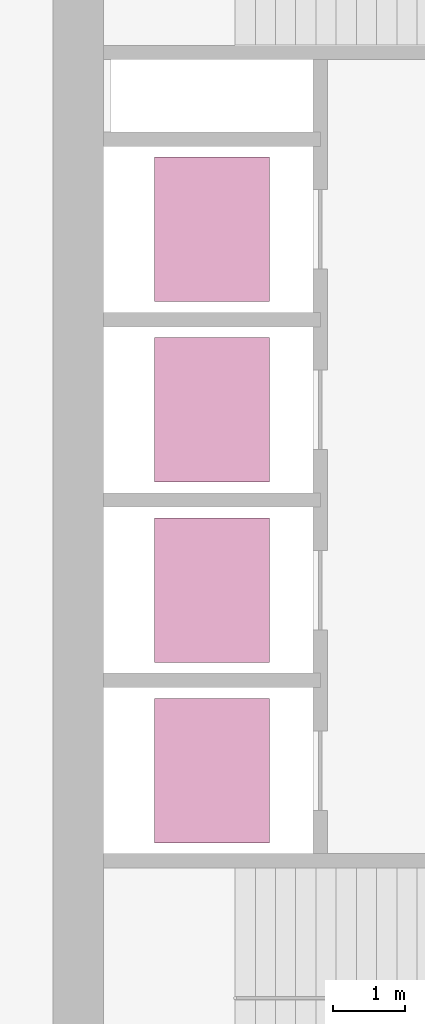
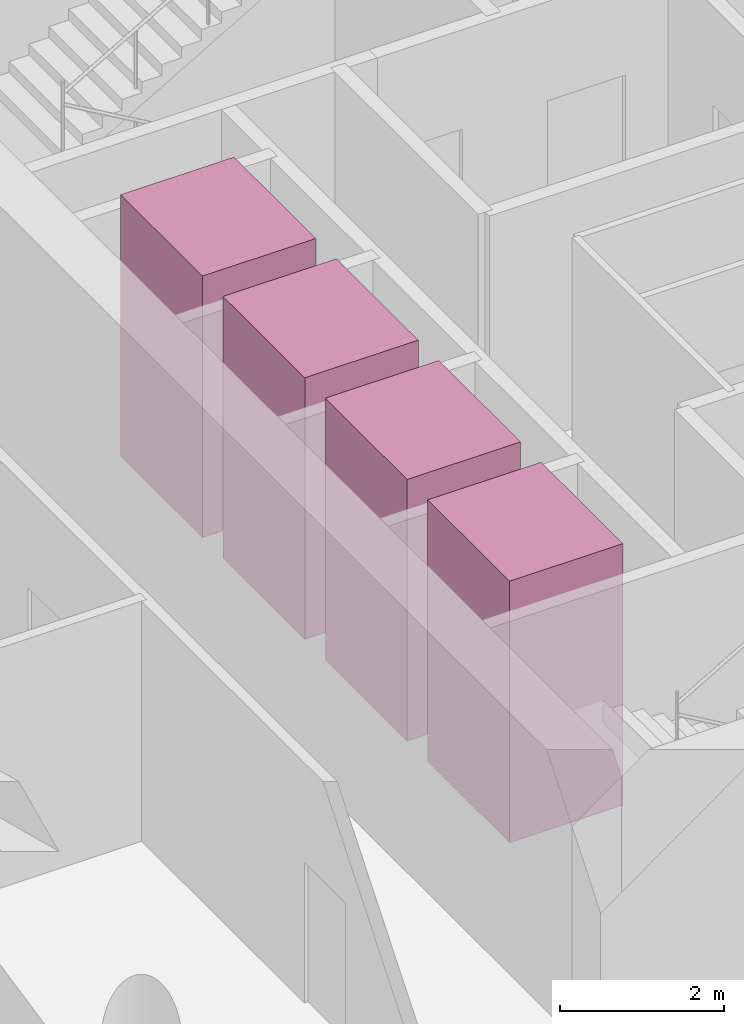
# One storey, part 9 of 9: 4 transport elements.
"""IFC4 building model written with IfcOpenShell, lengths in metres."""

from ifc_helpers import new_model, si_unit, direction, frame, origin, origin_2d, place, context, subcontext, project, spatial, rectangle, extrude, material, type_object, element, save


model = new_model("IFC4")

# Units and contexts
model_context = context("Model", 3, precision=1e-05, world=origin(), true_north=direction((0.0, 1.0)))
body_context = subcontext(model_context, "Body", "Model", "MODEL_VIEW")
ifc_project = project(units=[si_unit("LENGTHUNIT", "METRE"), si_unit("AREAUNIT", "SQUARE_METRE"), si_unit("VOLUMEUNIT", "CUBIC_METRE"), si_unit("PLANEANGLEUNIT", "RADIAN"), si_unit("MASSUNIT", "GRAM", prefix="KILO")], contexts=[model_context])

# Site, building, storey
site_placement = place(None, origin())
site = spatial("IfcSite", under=ifc_project, at=site_placement, CompositionType="ELEMENT")
building_placement = place(site_placement, origin())
building = spatial("IfcBuilding", under=site, at=building_placement, Name="Qaws Garden Tower", CompositionType="ELEMENT")
storey_placement = place(building_placement, frame((0.0, 0.0, 198.0)))
storey = spatial("IfcBuildingStorey", under=building, at=storey_placement, Name="L48", CompositionType="ELEMENT", Elevation=198.0)

# Transport elements
ifc_material = material(Name="Stainless steel 316", Category="steel")
transport_element_type = type_object("IfcTransportElementType", Name="Passenger lift car 2000x1600 1800 kg", PredefinedType="ELEVATOR", material=ifc_material)
for number, where, z_axis, x_axis, name in (
    (1, (10.199951171875, 13.64990234375, 0.0), (0.0, 0.0, 1.0), (1.0, 0.0, 0.0), "MR1"),
    (2, (10.199951171875, 16.14990234375, 0.0), (0.0, 0.0, 1.0), (1.0, 0.0, 0.0), "MR2"),
    (3, (10.199951171875, 18.64990234375, 0.0), (0.0, 0.0, 1.0), (1.0, 0.0, 0.0), "MR3"),
    (4, (10.199951171875, 21.14990234375, 0.0), (0.0, 0.0, 1.0), (1.0, 0.0, 0.0), "MR4"),
):
    element("IfcTransportElement", number, at=place(storey_placement, frame(where, z_axis=z_axis, x_axis=x_axis)), inside=storey, type_object=transport_element_type, Name=name, PredefinedType="ELEVATOR", context=body_context, shape_type="SweptSolid", body=[
        extrude(rectangle(XDim=1.60009765625, YDim=2.0, at=origin_2d()), origin(), (0.0, 0.0, 1.0), 3.89990234375),
    ])

save(model, "model.ifc")
